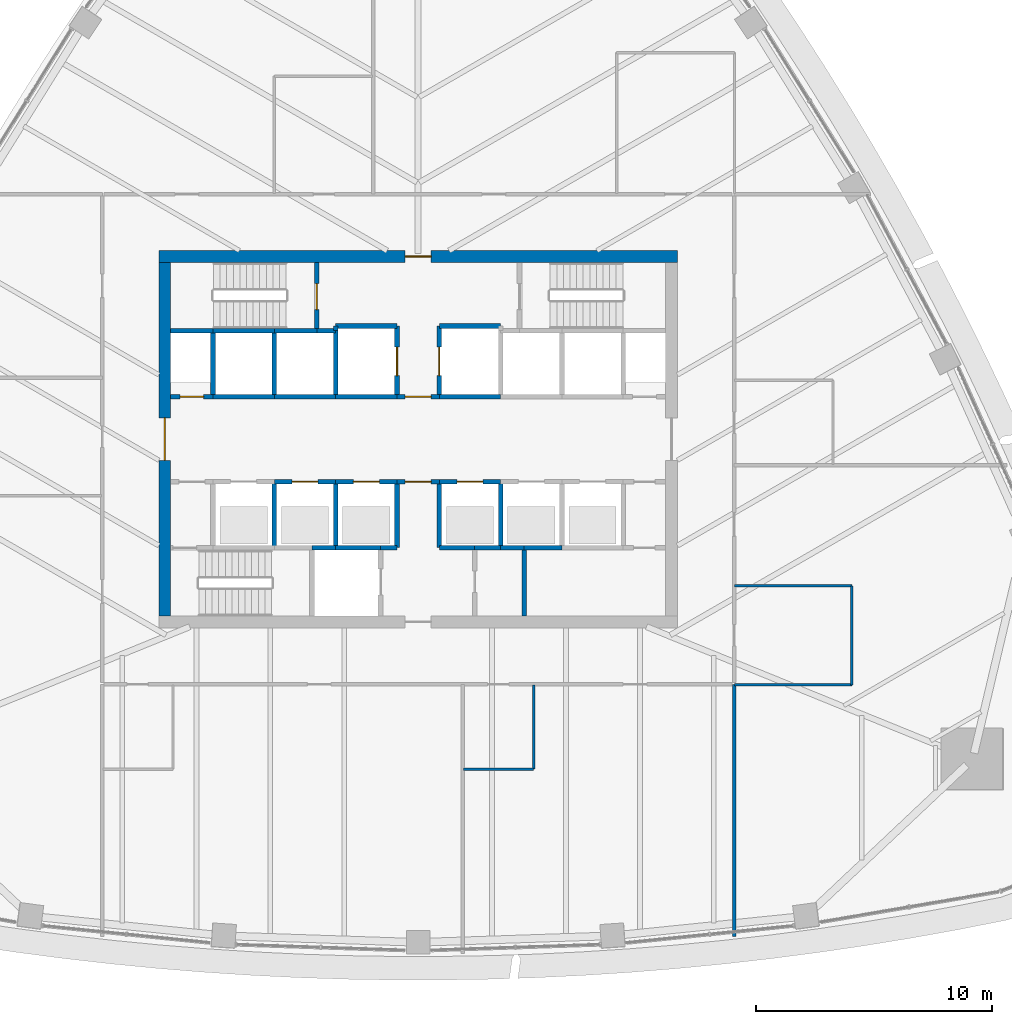
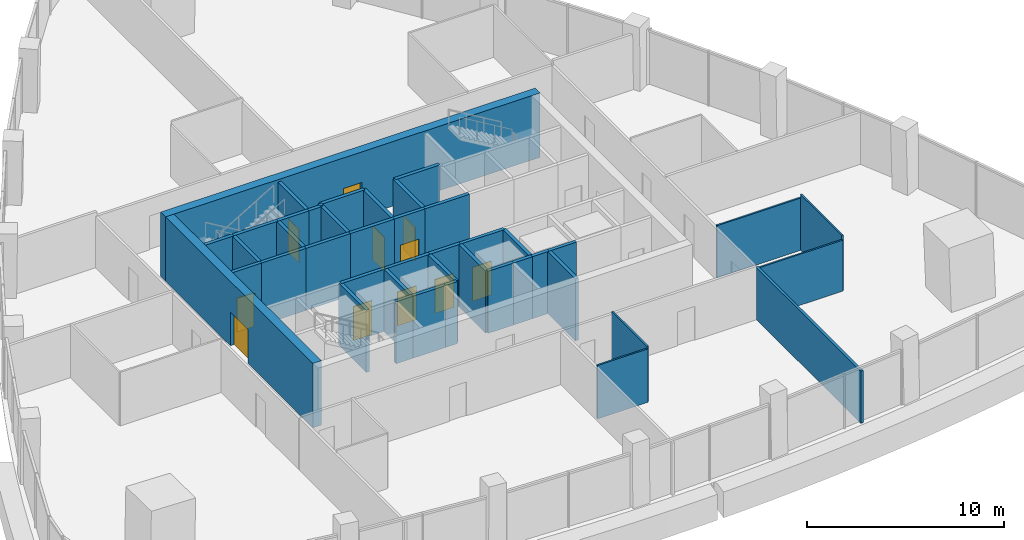
# One storey, part 10 of 16: 44 walls, 11 doors, 11 openings.
"""IFC4 building model written with IfcOpenShell, lengths in metres."""

import ifcopenshell
import ifcopenshell.guid

model = None  # the IFC model being written
_history = None  # IfcOwnerHistory: only IFC2X3 demands one
_inside = {}  # id of a spatial element -> (the spatial element, [elements in it])
_under = {}  # id of a project, library or spatial element -> (it, [spatial elements below it])
_declared = {}  # id of a project -> (the project, [libraries it declares])
_typed = {}  # id of a type object -> (the type object, [elements of that type])
_made_of = {}  # id of a material, layer set ... -> (it, [elements and type objects made of it])


def new_model(schema):
    """Start an empty IFC model of exactly this schema.

    Asked for "IFC4X3", IfcOpenShell would pick the latest addendum, in which some entities
    have other attributes; the version numbers below select the first issue.
    IFC2X3 requires an IfcOwnerHistory on every rooted entity: one is made here for all.
    """
    global model, _history
    if schema == "IFC4X3":
        model = ifcopenshell.file(schema_version=(4, 3, 0, 0))
    else:
        model = ifcopenshell.file(schema=schema)
    _inside.clear()
    _under.clear()
    _declared.clear()
    _typed.clear()
    _made_of.clear()
    _history = None
    if model.schema == "IFC2X3":
        org = make("IfcOrganization", Name="unknown")
        user = make(
            "IfcPersonAndOrganization",
            ThePerson=make("IfcPerson", FamilyName="unknown"),
            TheOrganization=org,
        )
        app = make(
            "IfcApplication",
            ApplicationDeveloper=org,
            Version="unknown",
            ApplicationFullName="unknown",
            ApplicationIdentifier="unknown",
        )
        _history = make(
            "IfcOwnerHistory",
            OwningUser=user,
            OwningApplication=app,
            ChangeAction="ADDED",
            CreationDate=0,
        )
    return model


def make(cls, **values):
    """One entity of the class cls with the attributes given. An attribute that is None is left unset."""
    return model.create_entity(
        cls, **{name: value for name, value in values.items() if value is not None}
    )


def rooted(cls, **values):
    """An entity with a GlobalId (a new one), such as an element, a storey or a relation."""
    return make(cls, GlobalId=ifcopenshell.guid.new(), OwnerHistory=_history, **values)


def si_unit(unit_type, name, prefix=None):
    """IfcSIUnit, for example si_unit("LENGTHUNIT", "METRE", prefix="MILLI")."""
    return make("IfcSIUnit", UnitType=unit_type, Prefix=prefix, Name=name)


def assignment(units):
    """IfcUnitAssignment: the units of a project."""
    return None if units is None else make("IfcUnitAssignment", Units=units)


def point(xyz):
    """IfcCartesianPoint."""
    return None if xyz is None else make("IfcCartesianPoint", Coordinates=xyz)


def direction(xyz):
    """IfcDirection."""
    return None if xyz is None else make("IfcDirection", DirectionRatios=xyz)


def frame(location, z_axis=None, x_axis=None):
    """IfcAxis2Placement3D, a coordinate frame: its origin and axes. An axis left out is left unset."""
    return make(
        "IfcAxis2Placement3D",
        Location=point(location),
        Axis=direction(z_axis),
        RefDirection=direction(x_axis),
    )


def frame_2d(location, x_axis=None):
    """IfcAxis2Placement2D, a coordinate frame in the plane: its origin and x axis."""
    return make(
        "IfcAxis2Placement2D", Location=point(location), RefDirection=direction(x_axis)
    )


def origin():
    """The frame at (0, 0, 0) with its axes left unset."""
    return frame((0.0, 0.0, 0.0))


def place(relative_to, where):
    """IfcLocalPlacement: puts the frame where relative to a parent placement (None: the world)."""
    return make(
        "IfcLocalPlacement", PlacementRelTo=relative_to, RelativePlacement=where
    )


def context(
    kind, dimensions, precision=None, world=None, true_north=None, identifier=None
):
    """IfcGeometricRepresentationContext, for example the 3D "Model" context."""
    return make(
        "IfcGeometricRepresentationContext",
        ContextIdentifier=identifier,
        ContextType=kind,
        CoordinateSpaceDimension=dimensions,
        Precision=precision,
        WorldCoordinateSystem=world,
        TrueNorth=true_north,
    )


def subcontext(parent, identifier, kind, view, scale=None):
    """IfcGeometricRepresentationSubContext, for example "Body" below "Model"."""
    return make(
        "IfcGeometricRepresentationSubContext",
        ContextIdentifier=identifier,
        ContextType=kind,
        ParentContext=parent,
        TargetScale=scale,
        TargetView=view,
    )


def project(units=None, contexts=None):
    """IfcProject with its units and contexts."""
    return rooted(
        "IfcProject",
        Name="project",
        RepresentationContexts=contexts,
        UnitsInContext=assignment(units),
    )


def spatial(cls, under=None, at=None, **own):
    """A site, building, storey or space (cls), placed at a placement, below another one or the project."""
    s = rooted(cls, ObjectPlacement=at, **own)
    if under is not None:
        _under.setdefault(under.id(), (under, []))[1].append(s)
    return s


def profile(cls, at=None, kind="AREA", **sizes):
    """A parametric profile (cls). Its sizes go by their IFC names, for example OverallWidth=200.0."""
    return make(cls, ProfileType=kind, Position=at, **sizes)


def rectangle(**sizes):
    """IfcRectangleProfileDef."""
    return profile("IfcRectangleProfileDef", **sizes)


def extrude(swept, where, along, depth):
    """IfcExtrudedAreaSolid: the profile swept, set in the frame where, extruded along a direction by depth."""
    return make(
        "IfcExtrudedAreaSolid",
        SweptArea=swept,
        Position=where,
        ExtrudedDirection=direction(along),
        Depth=depth,
    )


def shape(context_of_items, identifier, shape_type, items):
    """IfcShapeRepresentation: the items that make up one representation, for example the "Body"."""
    return make(
        "IfcShapeRepresentation",
        ContextOfItems=context_of_items,
        RepresentationIdentifier=identifier,
        RepresentationType=shape_type,
        Items=items,
    )


def material(Name=None, Category=None):
    """IfcMaterial."""
    return make("IfcMaterial", Name=Name, Category=Category)


def layer(
    of_material, thickness, ventilated=None, Name=None, Category=None, Priority=None
):
    """IfcMaterialLayer: one layer of a wall or slab, of a material (None: an air gap)."""
    return make(
        "IfcMaterialLayer",
        Material=of_material,
        LayerThickness=thickness,
        IsVentilated=ventilated,
        Name=Name,
        Category=Category,
        Priority=Priority,
    )


def layer_set(layers, Name=None):
    """IfcMaterialLayerSet."""
    return make("IfcMaterialLayerSet", MaterialLayers=layers, LayerSetName=Name)


def made_of(thing, what):
    """Note that an element or type object is made of a material, layer set ...; save() writes the relation."""
    if what is not None:
        _made_of.setdefault(what.id(), (what, []))[1].append(thing)
    return thing


def type_object(cls, material=None, **own):
    """A type object (cls), such as IfcWallType, which elements share."""
    return made_of(rooted(cls, **own), material)


def element(
    cls,
    number,
    at=None,
    inside=None,
    cuts=None,
    type_object=None,
    material=None,
    context=None,
    identifier="Body",
    shape_type=None,
    held_by="IfcProductDefinitionShape",
    body=None,
    shapes=None,
    **own,
):
    """One element of the class cls, such as IfcWall. Its Tag is "e" and its number.

    at: its placement. inside: the storey or other place that contains it. cuts: it is an
    opening in that element (IfcRelVoidsElement). A single representation is given by context,
    identifier, shape_type and body (its items); several are given by shapes. held_by: the class
    of the entity that holds the representations. save() writes the other relations.
    """
    e = rooted(cls, Tag="e%d" % number, ObjectPlacement=at, **own)
    if body is not None:
        shapes = [shape(context, identifier, shape_type, body)]
    if shapes is not None:
        e.Representation = make(held_by, Representations=shapes)
    if inside is not None:
        _inside.setdefault(inside.id(), (inside, []))[1].append(e)
    if cuts is not None:
        rooted(
            "IfcRelVoidsElement", RelatingBuildingElement=cuts, RelatedOpeningElement=e
        )
    if type_object is not None:
        _typed.setdefault(type_object.id(), (type_object, []))[1].append(e)
    return made_of(e, material)


def fill(opening, filler):
    """IfcRelFillsElement: the door or window that sits in an opening."""
    return rooted(
        "IfcRelFillsElement",
        RelatingOpeningElement=opening,
        RelatedBuildingElement=filler,
    )


def aggregate(whole, parts):
    """IfcRelAggregates: a whole, such as a stair, and the parts it consists of."""
    return rooted("IfcRelAggregates", RelatingObject=whole, RelatedObjects=parts)


def save(model, path):
    """Write the relations noted so far, then the file.

    IfcRelAggregates (storeys below a building ...), IfcRelContainedInSpatialStructure (elements
    in a storey), IfcRelDefinesByType, IfcRelAssociatesMaterial and IfcRelDeclares: one each for
    every whole, place, type object, material and project.
    """
    for whole, parts in _under.values():
        aggregate(whole, parts)
    for where, things in _inside.values():
        rooted(
            "IfcRelContainedInSpatialStructure",
            RelatedElements=things,
            RelatingStructure=where,
        )
    for kind, things in _typed.values():
        rooted("IfcRelDefinesByType", RelatedObjects=things, RelatingType=kind)
    for what, things in _made_of.values():
        rooted("IfcRelAssociatesMaterial", RelatedObjects=things, RelatingMaterial=what)
    for by, libraries in _declared.values():
        rooted("IfcRelDeclares", RelatingContext=by, RelatedDefinitions=libraries)
    model.write(path)


model = new_model("IFC4")

# Units and contexts
model_context = context("Model", 3, precision=1e-05, world=origin(), true_north=direction((0.0, 1.0)))
body_context = subcontext(model_context, "Body", "Model", "MODEL_VIEW")
ifc_project = project(units=[si_unit("LENGTHUNIT", "METRE"), si_unit("AREAUNIT", "SQUARE_METRE"), si_unit("VOLUMEUNIT", "CUBIC_METRE"), si_unit("PLANEANGLEUNIT", "RADIAN"), si_unit("MASSUNIT", "GRAM", prefix="KILO")], contexts=[model_context])

# Site, building, storey
site_placement = place(None, origin())
site = spatial("IfcSite", under=ifc_project, at=site_placement, CompositionType="ELEMENT")
building_placement = place(site_placement, origin())
building = spatial("IfcBuilding", under=site, at=building_placement, Name="Sierra Prisma Convention Tower", CompositionType="ELEMENT")
storey_placement = place(building_placement, frame((0.0, 0.0, 181.800048828125)))
storey = spatial("IfcBuildingStorey", under=building, at=storey_placement, Name="L40", CompositionType="ELEMENT", Elevation=181.800048828125)

# Walls
ifc_material_1 = material(Name="Gypsum board partition", Category="gypsum")
ifc_layer_1 = layer(ifc_material_1, 0.10009765625)
ifc_layer_set_1 = layer_set([ifc_layer_1], Name="Bathroom partition 100")
wall_type_1 = type_object("IfcWallType", Name="Bathroom partition 100", PredefinedType="PARTITIONING", material=ifc_layer_set_1)
wall_1_placement = place(storey_placement, frame((4.89990234375, -10.429931640625, 0.0), z_axis=(0.0, 0.0, 1.0), x_axis=(0.0, -1.0, 0.0)))
element("IfcWall", 1, at=wall_1_placement, inside=storey, type_object=wall_type_1, Name="Partition L40 bath 7", PredefinedType="PARTITIONING", context=body_context, shape_type="SweptSolid", body=[
    extrude(rectangle(XDim=3.570068359375, YDim=0.10009765625, at=frame_2d((1.78515625, 0.0))), origin(), (0.0, 0.0, 1.0), 3.449951171875),
])
wall_2_placement = place(storey_placement, frame((4.89990234375, -14.0, 0.0), z_axis=(0.0, 0.0, 1.0), x_axis=(-1.0, 0.0, 0.0)))
element("IfcWall", 2, at=wall_2_placement, inside=storey, type_object=wall_type_1, Name="Partition L40 bath 8", PredefinedType="PARTITIONING", context=body_context, shape_type="SweptSolid", body=[
    extrude(rectangle(XDim=2.969970703125, YDim=0.10009765625, at=frame_2d((1.48486328125, 0.0))), origin(), (0.0, 0.0, 1.0), 3.31689453125),
])
wall_3_placement = place(storey_placement, frame((13.429931640625, -6.219970703125, 0.0), z_axis=(0.0, 0.0, 1.0), x_axis=(1.0, 0.0, 0.0)))
element("IfcWall", 3, at=wall_3_placement, inside=storey, type_object=wall_type_1, Name="Partition L40 bath 12", PredefinedType="PARTITIONING", context=body_context, shape_type="SweptSolid", body=[
    extrude(rectangle(XDim=4.969970703125, YDim=0.10009765625, at=frame_2d((2.48486328125, 0.0))), origin(), (0.0, 0.0, 1.0), 3.2470703125),
])
wall_4_placement = place(storey_placement, frame((18.39990234375, -6.219970703125, 0.0), z_axis=(0.0, 0.0, 1.0), x_axis=(0.0, -1.0, 0.0)))
element("IfcWall", 4, at=wall_4_placement, inside=storey, type_object=wall_type_1, Name="Partition L40 bath 13", PredefinedType="PARTITIONING", context=body_context, shape_type="SweptSolid", body=[
    extrude(rectangle(XDim=4.199951171875, YDim=0.10009765625, at=frame_2d((2.10009765625, 0.0))), origin(), (0.0, 0.0, 1.0), 3.449951171875),
])
wall_5_placement = place(storey_placement, frame((18.39990234375, -10.419921875, 0.0), z_axis=(0.0, 0.0, 1.0), x_axis=(-1.0, 0.0, 0.0)))
element("IfcWall", 5, at=wall_5_placement, inside=storey, type_object=wall_type_1, Name="Partition L40 bath 14", PredefinedType="PARTITIONING", context=body_context, shape_type="SweptSolid", body=[
    extrude(rectangle(XDim=4.969970703125, YDim=0.10009765625, at=frame_2d((2.48486328125, 0.0))), origin(), (0.0, 0.0, 1.0), 3.166015625),
])

# Wall, opening, door
ifc_material_2 = material(Name="Concrete C30/37", Category="concrete")
ifc_layer_2 = layer(ifc_material_2, 0.199951171875)
ifc_layer_set_2 = layer_set([ifc_layer_2], Name="Core wall RC 200 C30/37")
wall_type_2 = type_object("IfcWallType", Name="Core wall RC 200 C30/37", PredefinedType="SOLIDWALL", material=ifc_layer_set_2)
wall_6_placement = place(storey_placement, frame((-8.699951171875, 1.800048828125, 0.0), z_axis=(0.0, 0.0, 1.0), x_axis=(-1.0, 0.0, 0.0)))
wall_6 = element("IfcWall", 6, at=wall_6_placement, inside=storey, type_object=wall_type_2, Name="Core wall L40 3", PredefinedType="SOLIDWALL", context=body_context, shape_type="SweptSolid", body=[
    extrude(rectangle(XDim=1.800048828125, YDim=0.199951171875, at=frame_2d((0.89990234375, 0.0))), origin(), (0.0, 0.0, 1.0), 3.849853515625),
])
opening_1_placement = place(wall_6_placement, frame((0.39990234375, 0.0, 0.0)))
opening_1 = element("IfcOpeningElement", 7, at=opening_1_placement, cuts=wall_6, Name="Opening L40-D013", PredefinedType="OPENING", context=body_context, shape_type="SweptSolid", body=[
    extrude(rectangle(XDim=1.0, YDim=2.10009765625, at=frame_2d((0.5, 1.050048828125))), frame((0.0, 0.10009765625, 0.0), z_axis=(0.0, -1.0, 0.0), x_axis=(1.0, 0.0, 0.0)), (0.0, 0.0, 1.0), 0.199951171875),
])
ifc_material_3 = material(Name="Steel fire door leaf", Category="steel")
door_type_1 = type_object("IfcDoorType", Name="Door 1000x2100 FD60S", OperationType="SINGLE_SWING_LEFT", PredefinedType="DOOR", material=ifc_material_3)
door_1_placement = place(opening_1_placement, origin())
door_1 = element("IfcDoor", 8, at=door_1_placement, inside=storey, type_object=door_type_1, Name="Door L40 28", OperationType="SINGLE_SWING_RIGHT", OverallHeight=2.10009765625, OverallWidth=1.0, PredefinedType="DOOR", context=body_context, shape_type="SweptSolid", body=[
    extrude(rectangle(XDim=1.0, YDim=2.10009765625, at=frame_2d((0.5, 1.050048828125))), frame((0.0, 0.02490234375, 0.0), z_axis=(0.0, -1.0, 0.0), x_axis=(1.0, 0.0, 0.0)), (0.0, 0.0, 1.0), 0.050048828125),
])
fill(opening_1, door_1)

# Walls
wall_7_placement = place(storey_placement, frame((-8.699951171875, 4.60009765625, 0.0), z_axis=(0.0, 0.0, 1.0), x_axis=(-1.0, 0.0, 0.0)))
element("IfcWall", 9, at=wall_7_placement, inside=storey, type_object=wall_type_2, Name="Core wall L40 4", PredefinedType="SOLIDWALL", context=body_context, shape_type="SweptSolid", body=[
    extrude(rectangle(XDim=1.800048828125, YDim=0.199951171875, at=frame_2d((0.89990234375, 0.0))), origin(), (0.0, 0.0, 1.0), 3.849853515625),
])
wall_8_placement = place(storey_placement, frame((-6.10009765625, 1.800048828125, 0.0), z_axis=(0.0, 0.0, 1.0), x_axis=(-1.0, 0.0, 0.0)))
element("IfcWall", 10, at=wall_8_placement, inside=storey, type_object=wall_type_2, Name="Core wall L40 8", PredefinedType="SOLIDWALL", context=body_context, shape_type="SweptSolid", body=[
    extrude(rectangle(XDim=2.599853515625, YDim=0.199951171875, at=frame_2d((1.2998046875, 0.0))), origin(), (0.0, 0.0, 1.0), 3.849853515625),
])
wall_9_placement = place(storey_placement, frame((-8.699951171875, 1.800048828125, 0.0), z_axis=(0.0, 0.0, 1.0), x_axis=(0.0, 1.0, 0.0)))
element("IfcWall", 11, at=wall_9_placement, inside=storey, type_object=wall_type_2, Name="Core wall L40 9", PredefinedType="SOLIDWALL", context=body_context, shape_type="SweptSolid", body=[
    extrude(rectangle(XDim=2.800048828125, YDim=0.199951171875, at=frame_2d((1.39990234375, 0.0))), origin(), (0.0, 0.0, 1.0), 3.849853515625),
])
wall_10_placement = place(storey_placement, frame((-6.10009765625, 4.60009765625, 0.0), z_axis=(0.0, 0.0, 1.0), x_axis=(-1.0, 0.0, 0.0)))
element("IfcWall", 12, at=wall_10_placement, inside=storey, type_object=wall_type_2, Name="Core wall L40 10", PredefinedType="SOLIDWALL", context=body_context, shape_type="SweptSolid", body=[
    extrude(rectangle(XDim=2.599853515625, YDim=0.199951171875, at=frame_2d((1.2998046875, 0.0))), origin(), (0.0, 0.0, 1.0), 3.849853515625),
])
wall_11_placement = place(storey_placement, frame((-6.10009765625, -4.60009765625, 0.0), z_axis=(0.0, 0.0, 1.0), x_axis=(0.0, 1.0, 0.0)))
element("IfcWall", 13, at=wall_11_placement, inside=storey, type_object=wall_type_2, Name="Core wall L40 12", PredefinedType="SOLIDWALL", context=body_context, shape_type="SweptSolid", body=[
    extrude(rectangle(XDim=2.800048828125, YDim=0.199951171875, at=frame_2d((1.39990234375, 0.0))), origin(), (0.0, 0.0, 1.0), 3.849853515625),
])

# Wall, opening, door
wall_12_placement = place(storey_placement, frame((-6.10009765625, -1.800048828125, 0.0), z_axis=(0.0, 0.0, 1.0), x_axis=(1.0, 0.0, 0.0)))
wall_12 = element("IfcWall", 14, at=wall_12_placement, inside=storey, type_object=wall_type_2, Name="Core wall L40 13", PredefinedType="SOLIDWALL", context=body_context, shape_type="SweptSolid", body=[
    extrude(rectangle(XDim=2.60009765625, YDim=0.199951171875, at=frame_2d((1.300048828125, 0.0))), origin(), (0.0, 0.0, 1.0), 3.849853515625),
])
opening_2_placement = place(wall_12_placement, frame((0.75, 0.0, 0.0)))
opening_2 = element("IfcOpeningElement", 15, at=opening_2_placement, cuts=wall_12, Name="Opening L40-D002", PredefinedType="OPENING", context=body_context, shape_type="SweptSolid", body=[
    extrude(rectangle(XDim=1.10009765625, YDim=2.10009765625, at=frame_2d((0.550048828125, 1.050048828125))), frame((0.0, 0.10009765625, 0.0), z_axis=(0.0, -1.0, 0.0), x_axis=(1.0, 0.0, 0.0)), (0.0, 0.0, 1.0), 0.199951171875),
])
ifc_material_4 = material(Name="Steel fire door leaf", Category="steel")
door_type_2 = type_object("IfcDoorType", Name="Door 1100x2100 EI 90 sliding lift landing", OperationType="SLIDING_TO_LEFT", PredefinedType="DOOR", material=ifc_material_4)
door_2_placement = place(opening_2_placement, origin())
door_2 = element("IfcDoor", 16, at=door_2_placement, inside=storey, type_object=door_type_2, Name="Door L40 17", OperationType="SLIDING_TO_LEFT", OverallHeight=2.10009765625, OverallWidth=1.10009765625, PredefinedType="DOOR", context=body_context, shape_type="SweptSolid", body=[
    extrude(rectangle(XDim=1.10009765625, YDim=2.10009765625, at=frame_2d((0.550048828125, 1.050048828125))), frame((0.0, 0.02490234375, 0.0), z_axis=(0.0, -1.0, 0.0), x_axis=(1.0, 0.0, 0.0)), (0.0, 0.0, 1.0), 0.050048828125),
])
fill(opening_2, door_2)

# Walls
wall_13_placement = place(storey_placement, frame((-3.5, 1.800048828125, 0.0), z_axis=(0.0, 0.0, 1.0), x_axis=(-1.0, 0.0, 0.0)))
element("IfcWall", 17, at=wall_13_placement, inside=storey, type_object=wall_type_2, Name="Core wall L40 14", PredefinedType="SOLIDWALL", context=body_context, shape_type="SweptSolid", body=[
    extrude(rectangle(XDim=2.60009765625, YDim=0.199951171875, at=frame_2d((1.300048828125, 0.0))), origin(), (0.0, 0.0, 1.0), 3.849853515625),
])
wall_14_placement = place(storey_placement, frame((-6.10009765625, 1.800048828125, 0.0), z_axis=(0.0, 0.0, 1.0), x_axis=(0.0, 1.0, 0.0)))
element("IfcWall", 18, at=wall_14_placement, inside=storey, type_object=wall_type_2, Name="Core wall L40 15", PredefinedType="SOLIDWALL", context=body_context, shape_type="SweptSolid", body=[
    extrude(rectangle(XDim=2.800048828125, YDim=0.199951171875, at=frame_2d((1.39990234375, 0.0))), origin(), (0.0, 0.0, 1.0), 3.849853515625),
])
wall_15_placement = place(storey_placement, frame((-4.300048828125, 4.60009765625, 0.0), z_axis=(0.0, 0.0, 1.0), x_axis=(-1.0, 0.0, 0.0)))
element("IfcWall", 19, at=wall_15_placement, inside=storey, type_object=wall_type_2, Name="Core wall L40 16", PredefinedType="SOLIDWALL", context=body_context, shape_type="SweptSolid", body=[
    extrude(rectangle(XDim=1.800048828125, YDim=0.199951171875, at=frame_2d((0.89990234375, 0.0))), origin(), (0.0, 0.0, 1.0), 3.849853515625),
])
wall_16_placement = place(storey_placement, frame((-4.5, -4.60009765625, 0.0), z_axis=(0.0, 0.0, 1.0), x_axis=(1.0, 0.0, 0.0)))
element("IfcWall", 20, at=wall_16_placement, inside=storey, type_object=wall_type_2, Name="Core wall L40 18", PredefinedType="SOLIDWALL", context=body_context, shape_type="SweptSolid", body=[
    extrude(rectangle(XDim=1.0, YDim=0.199951171875, at=frame_2d((0.5, 0.0))), origin(), (0.0, 0.0, 1.0), 3.849853515625),
])
wall_17_placement = place(storey_placement, frame((-3.5, 4.60009765625, 0.0), z_axis=(0.0, 0.0, 1.0), x_axis=(-1.0, 0.0, 0.0)))
element("IfcWall", 21, at=wall_17_placement, inside=storey, type_object=wall_type_2, Name="Core wall L40 19", PredefinedType="SOLIDWALL", context=body_context, shape_type="SweptSolid", body=[
    extrude(rectangle(XDim=0.800048828125, YDim=0.199951171875, at=frame_2d((0.39990234375, 0.0))), origin(), (0.0, 0.0, 1.0), 3.849853515625),
])

# Wall, opening, door
wall_18_placement = place(storey_placement, frame((-4.300048828125, 4.60009765625, 0.0), z_axis=(0.0, 0.0, 1.0), x_axis=(0.0, 1.0, 0.0)))
wall_18 = element("IfcWall", 22, at=wall_18_placement, inside=storey, type_object=wall_type_2, Name="Core wall L40 20", PredefinedType="SOLIDWALL", context=body_context, shape_type="SweptSolid", body=[
    extrude(rectangle(XDim=2.89990234375, YDim=0.199951171875, at=frame_2d((1.449951171875, 0.0))), origin(), (0.0, 0.0, 1.0), 3.849853515625),
])
opening_3_placement = place(wall_18_placement, frame((0.89990234375, 0.0, 0.0)))
opening_3 = element("IfcOpeningElement", 23, at=opening_3_placement, cuts=wall_18, Name="Opening L40-D016", PredefinedType="OPENING", context=body_context, shape_type="SweptSolid", body=[
    extrude(rectangle(XDim=1.10009765625, YDim=2.10009765625, at=frame_2d((0.550048828125, 1.050048828125))), frame((0.0, 0.10009765625, 0.0), z_axis=(0.0, -1.0, 0.0), x_axis=(1.0, 0.0, 0.0)), (0.0, 0.0, 1.0), 0.199951171875),
])
ifc_material_5 = material(Name="Steel fire door leaf", Category="steel")
door_type_3 = type_object("IfcDoorType", Name="Door 1100x2100 FD90S", OperationType="SINGLE_SWING_LEFT", PredefinedType="DOOR", material=ifc_material_5)
door_3_placement = place(opening_3_placement, origin())
door_3 = element("IfcDoor", 24, at=door_3_placement, inside=storey, type_object=door_type_3, Name="Door L40 31", OperationType="SINGLE_SWING_LEFT", OverallHeight=2.10009765625, OverallWidth=1.10009765625, PredefinedType="DOOR", context=body_context, shape_type="SweptSolid", body=[
    extrude(rectangle(XDim=1.10009765625, YDim=2.10009765625, at=frame_2d((0.550048828125, 1.050048828125))), frame((0.0, 0.02490234375, 0.0), z_axis=(0.0, -1.0, 0.0), x_axis=(1.0, 0.0, 0.0)), (0.0, 0.0, 1.0), 0.050048828125),
])
fill(opening_3, door_3)

# Walls
wall_19_placement = place(storey_placement, frame((-3.5, -4.60009765625, 0.0), z_axis=(0.0, 0.0, 1.0), x_axis=(1.0, 0.0, 0.0)))
element("IfcWall", 25, at=wall_19_placement, inside=storey, type_object=wall_type_2, Name="Core wall L40 21", PredefinedType="SOLIDWALL", context=body_context, shape_type="SweptSolid", body=[
    extrude(rectangle(XDim=1.89990234375, YDim=0.199951171875, at=frame_2d((0.949951171875, 0.0))), origin(), (0.0, 0.0, 1.0), 3.849853515625),
])
wall_20_placement = place(storey_placement, frame((-3.5, -4.60009765625, 0.0), z_axis=(0.0, 0.0, 1.0), x_axis=(0.0, 1.0, 0.0)))
element("IfcWall", 26, at=wall_20_placement, inside=storey, type_object=wall_type_2, Name="Core wall L40 22", PredefinedType="SOLIDWALL", context=body_context, shape_type="SweptSolid", body=[
    extrude(rectangle(XDim=2.800048828125, YDim=0.199951171875, at=frame_2d((1.39990234375, 0.0))), origin(), (0.0, 0.0, 1.0), 3.849853515625),
])

# Wall, opening, door
wall_21_placement = place(storey_placement, frame((-3.5, -1.800048828125, 0.0), z_axis=(0.0, 0.0, 1.0), x_axis=(1.0, 0.0, 0.0)))
wall_21 = element("IfcWall", 27, at=wall_21_placement, inside=storey, type_object=wall_type_2, Name="Core wall L40 23", PredefinedType="SOLIDWALL", context=body_context, shape_type="SweptSolid", body=[
    extrude(rectangle(XDim=2.60009765625, YDim=0.199951171875, at=frame_2d((1.300048828125, 0.0))), origin(), (0.0, 0.0, 1.0), 3.849853515625),
])
opening_4_placement = place(wall_21_placement, frame((0.75, 0.0, 0.0)))
opening_4 = element("IfcOpeningElement", 28, at=opening_4_placement, cuts=wall_21, Name="Opening L40-D003", PredefinedType="OPENING", context=body_context, shape_type="SweptSolid", body=[
    extrude(rectangle(XDim=1.10009765625, YDim=2.10009765625, at=frame_2d((0.550048828125, 1.050048828125))), frame((0.0, 0.10009765625, 0.0), z_axis=(0.0, -1.0, 0.0), x_axis=(1.0, 0.0, 0.0)), (0.0, 0.0, 1.0), 0.199951171875),
])
door_4_placement = place(opening_4_placement, origin())
door_4 = element("IfcDoor", 29, at=door_4_placement, inside=storey, type_object=door_type_2, Name="Door L40 18", OperationType="SLIDING_TO_RIGHT", OverallHeight=2.10009765625, OverallWidth=1.10009765625, PredefinedType="DOOR", context=body_context, shape_type="SweptSolid", body=[
    extrude(rectangle(XDim=1.10009765625, YDim=2.10009765625, at=frame_2d((0.550048828125, 1.050048828125))), frame((0.0, 0.02490234375, 0.0), z_axis=(0.0, -1.0, 0.0), x_axis=(1.0, 0.0, 0.0)), (0.0, 0.0, 1.0), 0.050048828125),
])
fill(opening_4, door_4)

# Walls
wall_22_placement = place(storey_placement, frame((-0.89990234375, 1.800048828125, 0.0), z_axis=(0.0, 0.0, 1.0), x_axis=(-1.0, 0.0, 0.0)))
element("IfcWall", 30, at=wall_22_placement, inside=storey, type_object=wall_type_2, Name="Core wall L40 24", PredefinedType="SOLIDWALL", context=body_context, shape_type="SweptSolid", body=[
    extrude(rectangle(XDim=2.60009765625, YDim=0.199951171875, at=frame_2d((1.300048828125, 0.0))), origin(), (0.0, 0.0, 1.0), 3.849853515625),
])
wall_23_placement = place(storey_placement, frame((-3.5, 4.60009765625, 0.0), z_axis=(0.0, 0.0, 1.0), x_axis=(0.0, -1.0, 0.0)))
element("IfcWall", 31, at=wall_23_placement, inside=storey, type_object=wall_type_2, Name="Core wall L40 25", PredefinedType="SOLIDWALL", context=body_context, shape_type="SweptSolid", body=[
    extrude(rectangle(XDim=2.800048828125, YDim=0.199951171875, at=frame_2d((1.39990234375, 0.0))), origin(), (0.0, 0.0, 1.0), 3.849853515625),
])

# Wall, opening, door
wall_24_placement = place(storey_placement, frame((-0.89990234375, 1.800048828125, 0.0), z_axis=(0.0, 0.0, 1.0), x_axis=(0.0, 1.0, 0.0)))
wall_24 = element("IfcWall", 32, at=wall_24_placement, inside=storey, type_object=wall_type_2, Name="Core wall L40 26", PredefinedType="SOLIDWALL", context=body_context, shape_type="SweptSolid", body=[
    extrude(rectangle(XDim=3.0, YDim=0.199951171875, at=frame_2d((1.5, 0.0))), origin(), (0.0, 0.0, 1.0), 3.849853515625),
])
opening_5_placement = place(wall_24_placement, frame((0.89990234375, 0.0, 0.0)))
opening_5 = element("IfcOpeningElement", 33, at=opening_5_placement, cuts=wall_24, Name="Opening L40-D007", PredefinedType="OPENING", context=body_context, shape_type="SweptSolid", body=[
    extrude(rectangle(XDim=1.199951171875, YDim=2.10009765625, at=frame_2d((0.60009765625, 1.050048828125))), frame((0.0, 0.10009765625, 0.0), z_axis=(0.0, -1.0, 0.0), x_axis=(1.0, 0.0, 0.0)), (0.0, 0.0, 1.0), 0.199951171875),
])
ifc_material_6 = material(Name="Steel fire door leaf", Category="steel")
door_type_4 = type_object("IfcDoorType", Name="Door 1200x2100 EI 90 sliding lift landing", OperationType="SLIDING_TO_LEFT", PredefinedType="DOOR", material=ifc_material_6)
door_5_placement = place(opening_5_placement, origin())
door_5 = element("IfcDoor", 34, at=door_5_placement, inside=storey, type_object=door_type_4, Name="Door L40 22", OperationType="SLIDING_TO_RIGHT", OverallHeight=2.10009765625, OverallWidth=1.199951171875, PredefinedType="DOOR", context=body_context, shape_type="SweptSolid", body=[
    extrude(rectangle(XDim=1.199951171875, YDim=2.10009765625, at=frame_2d((0.60009765625, 1.050048828125))), frame((0.0, 0.02490234375, 0.0), z_axis=(0.0, -1.0, 0.0), x_axis=(1.0, 0.0, 0.0)), (0.0, 0.0, 1.0), 0.050048828125),
])
fill(opening_5, door_5)

# Walls
wall_25_placement = place(storey_placement, frame((-0.89990234375, 4.800048828125, 0.0), z_axis=(0.0, 0.0, 1.0), x_axis=(-1.0, 0.0, 0.0)))
element("IfcWall", 35, at=wall_25_placement, inside=storey, type_object=wall_type_2, Name="Core wall L40 27", PredefinedType="SOLIDWALL", context=body_context, shape_type="SweptSolid", body=[
    extrude(rectangle(XDim=2.60009765625, YDim=0.199951171875, at=frame_2d((1.300048828125, 0.0))), origin(), (0.0, 0.0, 1.0), 3.849853515625),
])
wall_26_placement = place(storey_placement, frame((-3.5, 4.800048828125, 0.0), z_axis=(0.0, 0.0, 1.0), x_axis=(0.0, -1.0, 0.0)))
element("IfcWall", 36, at=wall_26_placement, inside=storey, type_object=wall_type_2, Name="Core wall L40 28", PredefinedType="SOLIDWALL", context=body_context, shape_type="SweptSolid", body=[
    extrude(rectangle(XDim=0.199951171875, YDim=0.199951171875, at=frame_2d((0.10009765625, 0.0))), origin(), (0.0, 0.0, 1.0), 3.849853515625),
])
wall_27_placement = place(storey_placement, frame((-1.60009765625, -4.60009765625, 0.0), z_axis=(0.0, 0.0, 1.0), x_axis=(1.0, 0.0, 0.0)))
element("IfcWall", 37, at=wall_27_placement, inside=storey, type_object=wall_type_2, Name="Core wall L40 30", PredefinedType="SOLIDWALL", context=body_context, shape_type="SweptSolid", body=[
    extrude(rectangle(XDim=0.7001953125, YDim=0.199951171875, at=frame_2d((0.35009765625, 0.0))), origin(), (0.0, 0.0, 1.0), 3.849853515625),
])
wall_28_placement = place(storey_placement, frame((-0.89990234375, -4.60009765625, 0.0), z_axis=(0.0, 0.0, 1.0), x_axis=(0.0, 1.0, 0.0)))
element("IfcWall", 38, at=wall_28_placement, inside=storey, type_object=wall_type_2, Name="Core wall L40 31", PredefinedType="SOLIDWALL", context=body_context, shape_type="SweptSolid", body=[
    extrude(rectangle(XDim=2.800048828125, YDim=0.199951171875, at=frame_2d((1.39990234375, 0.0))), origin(), (0.0, 0.0, 1.0), 3.849853515625),
])

# Wall, opening, door
wall_29_placement = place(storey_placement, frame((-0.89990234375, -1.800048828125, 0.0), z_axis=(0.0, 0.0, 1.0), x_axis=(1.0, 0.0, 0.0)))
wall_29 = element("IfcWall", 39, at=wall_29_placement, inside=storey, type_object=wall_type_2, Name="Core wall L40 32", PredefinedType="SOLIDWALL", context=body_context, shape_type="SweptSolid", body=[
    extrude(rectangle(XDim=1.7998046875, YDim=0.199951171875, at=frame_2d((0.89990234375, 0.0))), origin(), (0.0, 0.0, 1.0), 3.849853515625),
])
opening_6_placement = place(wall_29_placement, frame((0.35009765625, 0.0, 0.0)))
opening_6 = element("IfcOpeningElement", 40, at=opening_6_placement, cuts=wall_29, Name="Opening L40-D012", PredefinedType="OPENING", context=body_context, shape_type="SweptSolid", body=[
    extrude(rectangle(XDim=1.10009765625, YDim=2.10009765625, at=frame_2d((0.550048828125, 1.050048828125))), frame((0.0, 0.10009765625, 0.0), z_axis=(0.0, -1.0, 0.0), x_axis=(1.0, 0.0, 0.0)), (0.0, 0.0, 1.0), 0.199951171875),
])
ifc_material_7 = material(Name="Steel fire door leaf", Category="steel")
door_type_5 = type_object("IfcDoorType", Name="Door 1100x2100 FD30S", OperationType="SINGLE_SWING_LEFT", PredefinedType="DOOR", material=ifc_material_7)
door_6_placement = place(opening_6_placement, origin())
door_6 = element("IfcDoor", 41, at=door_6_placement, inside=storey, type_object=door_type_5, Name="Door L40 27", OperationType="SINGLE_SWING_LEFT", OverallHeight=2.10009765625, OverallWidth=1.10009765625, PredefinedType="DOOR", context=body_context, shape_type="SweptSolid", body=[
    extrude(rectangle(XDim=1.10009765625, YDim=2.10009765625, at=frame_2d((0.550048828125, 1.050048828125))), frame((0.0, 0.02490234375, 0.0), z_axis=(0.0, -1.0, 0.0), x_axis=(1.0, 0.0, 0.0)), (0.0, 0.0, 1.0), 0.050048828125),
])
fill(opening_6, door_6)

wall_30_placement = place(storey_placement, frame((0.89990234375, 1.800048828125, 0.0), z_axis=(0.0, 0.0, 1.0), x_axis=(-1.0, 0.0, 0.0)))
wall_30 = element("IfcWall", 42, at=wall_30_placement, inside=storey, type_object=wall_type_2, Name="Core wall L40 33", PredefinedType="SOLIDWALL", context=body_context, shape_type="SweptSolid", body=[
    extrude(rectangle(XDim=1.7998046875, YDim=0.199951171875, at=frame_2d((0.89990234375, 0.0))), origin(), (0.0, 0.0, 1.0), 3.849853515625),
])
opening_7_placement = place(wall_30_placement, frame((0.35009765625, 0.0, 0.0)))
opening_7 = element("IfcOpeningElement", 43, at=opening_7_placement, cuts=wall_30, Name="Opening L40-D011", PredefinedType="OPENING", context=body_context, shape_type="SweptSolid", body=[
    extrude(rectangle(XDim=1.10009765625, YDim=2.10009765625, at=frame_2d((0.550048828125, 1.050048828125))), frame((0.0, 0.10009765625, 0.0), z_axis=(0.0, -1.0, 0.0), x_axis=(1.0, 0.0, 0.0)), (0.0, 0.0, 1.0), 0.199951171875),
])
ifc_material_8 = material(Name="Steel fire door leaf", Category="steel")
door_type_6 = type_object("IfcDoorType", Name="Door 1100x2100 FD60S", OperationType="SINGLE_SWING_LEFT", PredefinedType="DOOR", material=ifc_material_8)
door_7_placement = place(opening_7_placement, origin())
door_7 = element("IfcDoor", 44, at=door_7_placement, inside=storey, type_object=door_type_6, Name="Door L40 26", OperationType="SINGLE_SWING_LEFT", OverallHeight=2.10009765625, OverallWidth=1.10009765625, PredefinedType="DOOR", context=body_context, shape_type="SweptSolid", body=[
    extrude(rectangle(XDim=1.10009765625, YDim=2.10009765625, at=frame_2d((0.550048828125, 1.050048828125))), frame((0.0, 0.02490234375, 0.0), z_axis=(0.0, -1.0, 0.0), x_axis=(1.0, 0.0, 0.0)), (0.0, 0.0, 1.0), 0.050048828125),
])
fill(opening_7, door_7)

wall_31_placement = place(storey_placement, frame((0.89990234375, -1.800048828125, 0.0), z_axis=(0.0, 0.0, 1.0), x_axis=(1.0, 0.0, 0.0)))
wall_31 = element("IfcWall", 45, at=wall_31_placement, inside=storey, type_object=wall_type_2, Name="Core wall L40 34", PredefinedType="SOLIDWALL", context=body_context, shape_type="SweptSolid", body=[
    extrude(rectangle(XDim=2.60009765625, YDim=0.199951171875, at=frame_2d((1.300048828125, 0.0))), origin(), (0.0, 0.0, 1.0), 3.849853515625),
])
opening_8_placement = place(wall_31_placement, frame((0.75, 0.0, 0.0)))
opening_8 = element("IfcOpeningElement", 46, at=opening_8_placement, cuts=wall_31, Name="Opening L40-D004", PredefinedType="OPENING", context=body_context, shape_type="SweptSolid", body=[
    extrude(rectangle(XDim=1.10009765625, YDim=2.10009765625, at=frame_2d((0.550048828125, 1.050048828125))), frame((0.0, 0.10009765625, 0.0), z_axis=(0.0, -1.0, 0.0), x_axis=(1.0, 0.0, 0.0)), (0.0, 0.0, 1.0), 0.199951171875),
])
door_8_placement = place(opening_8_placement, origin())
door_8 = element("IfcDoor", 47, at=door_8_placement, inside=storey, type_object=door_type_2, Name="Door L40 19", OperationType="SLIDING_TO_LEFT", OverallHeight=2.10009765625, OverallWidth=1.10009765625, PredefinedType="DOOR", context=body_context, shape_type="SweptSolid", body=[
    extrude(rectangle(XDim=1.10009765625, YDim=2.10009765625, at=frame_2d((0.550048828125, 1.050048828125))), frame((0.0, 0.02490234375, 0.0), z_axis=(0.0, -1.0, 0.0), x_axis=(1.0, 0.0, 0.0)), (0.0, 0.0, 1.0), 0.050048828125),
])
fill(opening_8, door_8)

# Walls
wall_32_placement = place(storey_placement, frame((0.89990234375, -1.800048828125, 0.0), z_axis=(0.0, 0.0, 1.0), x_axis=(0.0, -1.0, 0.0)))
element("IfcWall", 48, at=wall_32_placement, inside=storey, type_object=wall_type_2, Name="Core wall L40 35", PredefinedType="SOLIDWALL", context=body_context, shape_type="SweptSolid", body=[
    extrude(rectangle(XDim=2.800048828125, YDim=0.199951171875, at=frame_2d((1.39990234375, 0.0))), origin(), (0.0, 0.0, 1.0), 3.849853515625),
])
wall_33_placement = place(storey_placement, frame((0.89990234375, -4.60009765625, 0.0), z_axis=(0.0, 0.0, 1.0), x_axis=(1.0, 0.0, 0.0)))
element("IfcWall", 49, at=wall_33_placement, inside=storey, type_object=wall_type_2, Name="Core wall L40 36", PredefinedType="SOLIDWALL", context=body_context, shape_type="SweptSolid", body=[
    extrude(rectangle(XDim=1.5, YDim=0.199951171875, at=frame_2d((0.75, 0.0))), origin(), (0.0, 0.0, 1.0), 3.849853515625),
])
for number, where, z_axis, x_axis, name in (
    (50, (3.5, 1.800048828125, 0.0), (0.0, 0.0, 1.0), (-1.0, 0.0, 0.0), "Core wall L40 37"),
    (51, (3.5, 4.800048828125, 0.0), (0.0, 0.0, 1.0), (-1.0, 0.0, 0.0), "Core wall L40 39"),
):
    element("IfcWall", number, at=place(storey_placement, frame(where, z_axis=z_axis, x_axis=x_axis)), inside=storey, type_object=wall_type_2, Name=name, PredefinedType="SOLIDWALL", context=body_context, shape_type="SweptSolid", body=[
        extrude(rectangle(XDim=2.60009765625, YDim=0.199951171875, at=frame_2d((1.300048828125, 0.0))), origin(), (0.0, 0.0, 1.0), 3.849853515625),
    ])

# Wall, opening, door
wall_34_placement = place(storey_placement, frame((0.89990234375, 4.800048828125, 0.0), z_axis=(0.0, 0.0, 1.0), x_axis=(0.0, -1.0, 0.0)))
wall_34 = element("IfcWall", 52, at=wall_34_placement, inside=storey, type_object=wall_type_2, Name="Core wall L40 40", PredefinedType="SOLIDWALL", context=body_context, shape_type="SweptSolid", body=[
    extrude(rectangle(XDim=3.0, YDim=0.199951171875, at=frame_2d((1.5, 0.0))), origin(), (0.0, 0.0, 1.0), 3.849853515625),
])
opening_9_placement = place(wall_34_placement, frame((0.89990234375, 0.0, 0.0)))
opening_9 = element("IfcOpeningElement", 53, at=opening_9_placement, cuts=wall_34, Name="Opening L40-D008", PredefinedType="OPENING", context=body_context, shape_type="SweptSolid", body=[
    extrude(rectangle(XDim=1.199951171875, YDim=2.10009765625, at=frame_2d((0.60009765625, 1.050048828125))), frame((0.0, 0.10009765625, 0.0), z_axis=(0.0, -1.0, 0.0), x_axis=(1.0, 0.0, 0.0)), (0.0, 0.0, 1.0), 0.199951171875),
])
door_9_placement = place(opening_9_placement, origin())
door_9 = element("IfcDoor", 54, at=door_9_placement, inside=storey, type_object=door_type_4, Name="Door L40 23", OperationType="SLIDING_TO_LEFT", OverallHeight=2.10009765625, OverallWidth=1.199951171875, PredefinedType="DOOR", context=body_context, shape_type="SweptSolid", body=[
    extrude(rectangle(XDim=1.199951171875, YDim=2.10009765625, at=frame_2d((0.60009765625, 1.050048828125))), frame((0.0, 0.02490234375, 0.0), z_axis=(0.0, -1.0, 0.0), x_axis=(1.0, 0.0, 0.0)), (0.0, 0.0, 1.0), 0.050048828125),
])
fill(opening_9, door_9)

# Walls
wall_35_placement = place(storey_placement, frame((3.5, -4.60009765625, 0.0), z_axis=(0.0, 0.0, 1.0), x_axis=(-1.0, 0.0, 0.0)))
element("IfcWall", 55, at=wall_35_placement, inside=storey, type_object=wall_type_2, Name="Core wall L40 42", PredefinedType="SOLIDWALL", context=body_context, shape_type="SweptSolid", body=[
    extrude(rectangle(XDim=1.10009765625, YDim=0.199951171875, at=frame_2d((0.550048828125, 0.0))), origin(), (0.0, 0.0, 1.0), 3.849853515625),
])
wall_36_placement = place(storey_placement, frame((4.5, -4.60009765625, 0.0), z_axis=(0.0, 0.0, 1.0), x_axis=(-1.0, 0.0, 0.0)))
element("IfcWall", 56, at=wall_36_placement, inside=storey, type_object=wall_type_2, Name="Core wall L40 43", PredefinedType="SOLIDWALL", context=body_context, shape_type="SweptSolid", body=[
    extrude(rectangle(XDim=1.0, YDim=0.199951171875, at=frame_2d((0.5, 0.0))), origin(), (0.0, 0.0, 1.0), 3.849853515625),
])
wall_37_placement = place(storey_placement, frame((3.5, -4.60009765625, 0.0), z_axis=(0.0, 0.0, 1.0), x_axis=(0.0, 1.0, 0.0)))
element("IfcWall", 57, at=wall_37_placement, inside=storey, type_object=wall_type_2, Name="Core wall L40 44", PredefinedType="SOLIDWALL", context=body_context, shape_type="SweptSolid", body=[
    extrude(rectangle(XDim=2.800048828125, YDim=0.199951171875, at=frame_2d((1.39990234375, 0.0))), origin(), (0.0, 0.0, 1.0), 3.849853515625),
])
wall_38_placement = place(storey_placement, frame((4.5, -4.60009765625, 0.0), z_axis=(0.0, 0.0, 1.0), x_axis=(0.0, -1.0, 0.0)))
element("IfcWall", 58, at=wall_38_placement, inside=storey, type_object=wall_type_2, Name="Core wall L40 51", PredefinedType="SOLIDWALL", context=body_context, shape_type="SweptSolid", body=[
    extrude(rectangle(XDim=2.89990234375, YDim=0.199951171875, at=frame_2d((1.449951171875, 0.0))), origin(), (0.0, 0.0, 1.0), 3.849853515625),
])
wall_39_placement = place(storey_placement, frame((6.10009765625, -4.60009765625, 0.0), z_axis=(0.0, 0.0, 1.0), x_axis=(-1.0, 0.0, 0.0)))
element("IfcWall", 59, at=wall_39_placement, inside=storey, type_object=wall_type_2, Name="Core wall L40 52", PredefinedType="SOLIDWALL", context=body_context, shape_type="SweptSolid", body=[
    extrude(rectangle(XDim=1.60009765625, YDim=0.199951171875, at=frame_2d((0.800048828125, 0.0))), origin(), (0.0, 0.0, 1.0), 3.849853515625),
])

# Wall, opening, door
ifc_material_9 = material(Name="Concrete C60/75", Category="concrete")
ifc_layer_3 = layer(ifc_material_9, 0.5)
ifc_layer_set_3 = layer_set([ifc_layer_3], Name="Core wall RC 500 C60/75")
wall_type_3 = type_object("IfcWallType", Name="Core wall RC 500 C60/75", PredefinedType="SHEAR", material=ifc_layer_set_3)
wall_40_placement = place(storey_placement, frame((-11.0, 7.75, 0.0), z_axis=(0.0, 0.0, 1.0), x_axis=(1.0, 0.0, 0.0)))
wall_40 = element("IfcWall", 60, at=wall_40_placement, inside=storey, type_object=wall_type_3, Name="Core wall N L40", PredefinedType="SHEAR", context=body_context, shape_type="SweptSolid", body=[
    extrude(rectangle(XDim=22.0, YDim=0.5, at=frame_2d((11.0, 0.0))), origin(), (0.0, 0.0, 1.0), 4.0),
])
opening_10_placement = place(wall_40_placement, frame((10.449951171875, 0.0, 0.0)))
opening_10 = element("IfcOpeningElement", 61, at=opening_10_placement, cuts=wall_40, Name="Opening L40-D037", PredefinedType="OPENING", context=body_context, shape_type="SweptSolid", body=[
    extrude(rectangle(XDim=1.10009765625, YDim=2.10009765625, at=frame_2d((0.550048828125, 1.050048828125))), frame((0.0, 0.25, 0.0), z_axis=(0.0, -1.0, 0.0), x_axis=(1.0, 0.0, 0.0)), (0.0, 0.0, 1.0), 0.5),
])
door_10_placement = place(opening_10_placement, origin())
door_10 = element("IfcDoor", 62, at=door_10_placement, inside=storey, type_object=door_type_6, Name="Door L40 38", OperationType="SINGLE_SWING_RIGHT", OverallHeight=2.10009765625, OverallWidth=1.10009765625, PredefinedType="DOOR", context=body_context, shape_type="SweptSolid", body=[
    extrude(rectangle(XDim=1.10009765625, YDim=2.10009765625, at=frame_2d((0.550048828125, 1.050048828125))), frame((0.0, 0.02490234375, 0.0), z_axis=(0.0, -1.0, 0.0), x_axis=(1.0, 0.0, 0.0)), (0.0, 0.0, 1.0), 0.050048828125),
])
fill(opening_10, door_10)

wall_41_placement = place(storey_placement, frame((-10.75, -7.5, 0.0), z_axis=(0.0, 0.0, 1.0), x_axis=(0.0, 1.0, 0.0)))
wall_41 = element("IfcWall", 63, at=wall_41_placement, inside=storey, type_object=wall_type_3, Name="Core wall W L40", PredefinedType="SHEAR", context=body_context, shape_type="SweptSolid", body=[
    extrude(rectangle(XDim=15.0, YDim=0.5, at=frame_2d((7.5, 0.0))), origin(), (0.0, 0.0, 1.0), 4.0),
])
opening_11_placement = place(wall_41_placement, frame((6.60009765625, 0.0, 0.0)))
opening_11 = element("IfcOpeningElement", 64, at=opening_11_placement, cuts=wall_41, Name="Opening L40-D039", PredefinedType="OPENING", context=body_context, shape_type="SweptSolid", body=[
    extrude(rectangle(XDim=1.800048828125, YDim=2.10009765625, at=frame_2d((0.89990234375, 1.050048828125))), frame((0.0, 0.25, 0.0), z_axis=(0.0, -1.0, 0.0), x_axis=(1.0, 0.0, 0.0)), (0.0, 0.0, 1.0), 0.5),
])
ifc_material_10 = material(Name="Steel fire door leaf", Category="steel")
door_type_7 = type_object("IfcDoorType", Name="Door 1800x2100 FD60S", OperationType="DOUBLE_DOOR_SINGLE_SWING", PredefinedType="DOOR", material=ifc_material_10)
door_11_placement = place(opening_11_placement, origin())
door_11 = element("IfcDoor", 65, at=door_11_placement, inside=storey, type_object=door_type_7, Name="Door L40 36", OperationType="DOUBLE_DOOR_SINGLE_SWING", OverallHeight=2.10009765625, OverallWidth=1.800048828125, PredefinedType="DOOR", context=body_context, shape_type="SweptSolid", body=[
    extrude(rectangle(XDim=1.800048828125, YDim=2.10009765625, at=frame_2d((0.89990234375, 1.050048828125))), frame((0.0, 0.02490234375, 0.0), z_axis=(0.0, -1.0, 0.0), x_axis=(1.0, 0.0, 0.0)), (0.0, 0.0, 1.0), 0.050048828125),
])
fill(opening_11, door_11)

# Wall
ifc_material_11 = material(Name="Gypsum board partition", Category="gypsum")
ifc_layer_4 = layer(ifc_material_11, 0.14990234375)
ifc_layer_set_4 = layer_set([ifc_layer_4], Name="Party wall 150 gypsum")
wall_type_4 = type_object("IfcWallType", Name="Party wall 150 gypsum", PredefinedType="PARTITIONING", material=ifc_layer_set_4)
wall_42_placement = place(storey_placement, frame((13.39990234375, -10.39990234375, 0.0), z_axis=(0.0, 0.0, 1.0), x_axis=(0.0, -1.0, 0.0)))
element("IfcWall", 66, at=wall_42_placement, inside=storey, type_object=wall_type_4, Name="Partition L40 party 6", PredefinedType="PARTITIONING", context=body_context, shape_type="SweptSolid", body=[
    extrude(rectangle(XDim=10.6884765625, YDim=0.14990234375, at=frame_2d((5.34423828125, 0.0))), origin(), (0.0, 0.0, 1.0), 3.23388671875),
])

save(model, "model.ifc")
